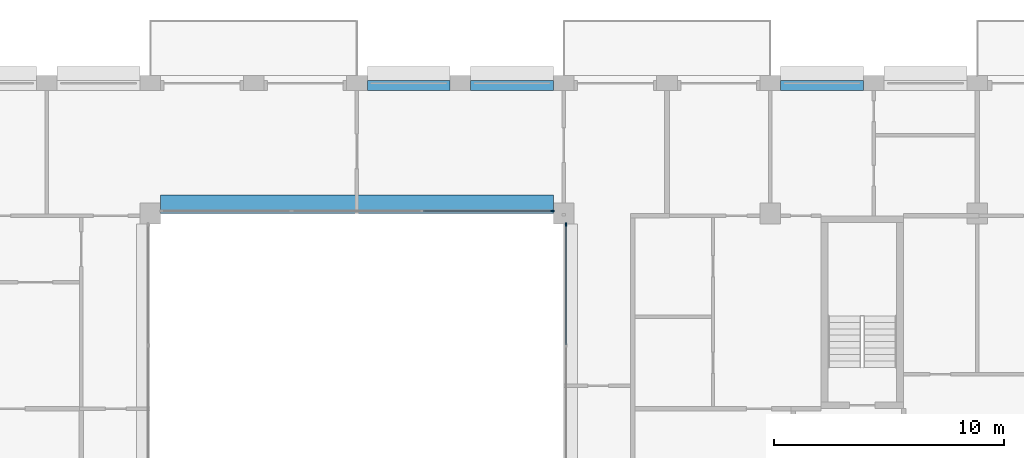
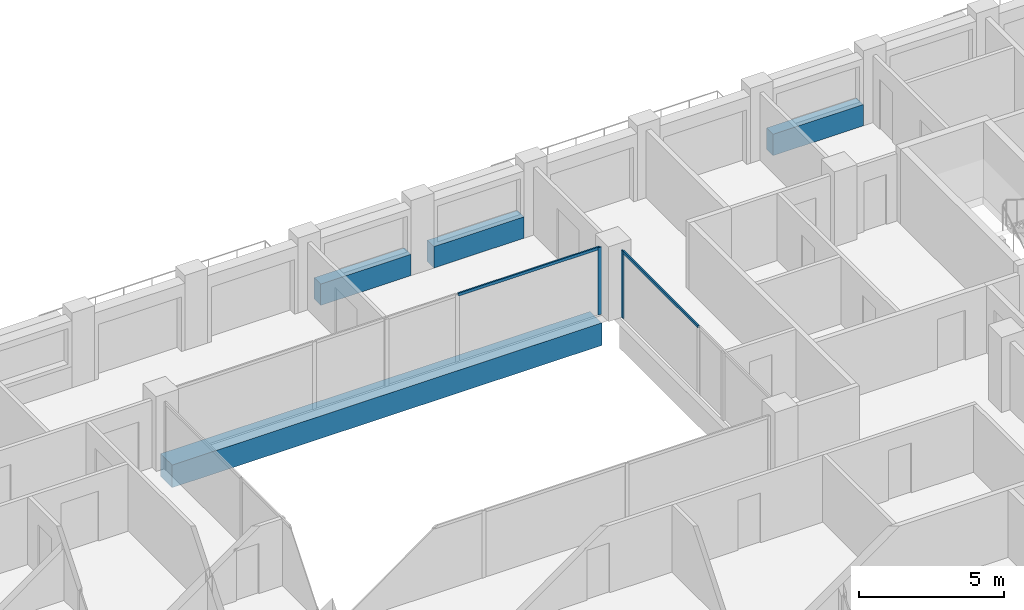
# One storey, part 6 of 16: 4 beams, 4 members, 2 elements without a shape of their own.
"""IFC4 building model written with IfcOpenShell, lengths in metres."""

from ifc_helpers import new_model, si_unit, direction, frame, origin, origin_2d, place, context, subcontext, project, spatial, rectangle, extrude, material, layer, layer_set, material_profile, profile_set, type_object, element, aggregate, save


model = new_model("IFC4")

# Units and contexts
model_context = context("Model", 3, precision=1e-05, world=origin(), true_north=direction((0.0, 1.0)))
body_context = subcontext(model_context, "Body", "Model", "MODEL_VIEW")
ifc_project = project(units=[si_unit("LENGTHUNIT", "METRE"), si_unit("AREAUNIT", "SQUARE_METRE"), si_unit("VOLUMEUNIT", "CUBIC_METRE"), si_unit("PLANEANGLEUNIT", "RADIAN"), si_unit("MASSUNIT", "GRAM", prefix="KILO")], contexts=[model_context])

# Site, building, storey
site_placement = place(None, origin())
site = spatial("IfcSite", under=ifc_project, at=site_placement, CompositionType="ELEMENT")
building_placement = place(site_placement, origin())
building = spatial("IfcBuilding", under=site, at=building_placement, Name="Brigalow Station Residences", CompositionType="ELEMENT")
storey_placement = place(building_placement, frame((0.0, 0.0, 204.300048828125)))
storey = spatial("IfcBuildingStorey", under=building, at=storey_placement, Name="L58", CompositionType="ELEMENT", Elevation=204.300048828125)

# Beam
ifc_material_1 = material(Name="Concrete C65", Category="concrete")
ifc_material_profile_1 = material_profile(ifc_material_1, rectangle(XDim=0.800048828125, YDim=0.949951171875, at=origin_2d()), Name="RC800x950")
ifc_profile_set_1 = profile_set([ifc_material_profile_1], Name="Concrete C65")
beam_type_1 = type_object("IfcBeamType", Name="ATRIUM EDGE GIRDER OVER 13.5 M SPAN 800x950 C65", PredefinedType="BEAM", material=ifc_profile_set_1)
beam_placement = place(storey_placement, frame((27.449951171875, 35.89990234375, -0.795166015625), z_axis=(1.0, 0.0, 0.0), x_axis=(0.0, 1.0, 0.0)))
element("IfcBeam", 1, at=beam_placement, inside=storey, type_object=beam_type_1, Name="ATRIUM EDGE GIRDER D L58", PredefinedType="BEAM", context=body_context, shape_type="SweptSolid", body=[
    extrude(rectangle(XDim=0.800048828125, YDim=0.949951171875, at=origin_2d()), origin(), (0.0, 0.0, 1.0), 17.10009765625),
])

# Curtain wall, member
ifc_material_2 = material(Name="Aluminium", Category="aluminium")
ifc_layer = layer(ifc_material_2, 0.14990234375)
ifc_layer_set = layer_set([ifc_layer], Name="ATRIUM FIRE-RATED GLAZING CURTAIN WALL")
curtain_wall_type = type_object("IfcCurtainWallType", Name="ATRIUM FIRE-RATED GLAZING CURTAIN WALL", PredefinedType="NOTDEFINED", material=ifc_layer_set)
curtain_wall_1_placement = place(storey_placement, origin())
curtain_wall_1 = element("IfcCurtainWall", 2, at=curtain_wall_1_placement, inside=storey, type_object=curtain_wall_type, Name="L58/cw/atrium-E", PredefinedType="NOTDEFINED")
ifc_material_3 = material(Name="Aluminium", Category="aluminium")
ifc_material_profile_2 = material_profile(ifc_material_3, rectangle(XDim=0.06005859375, YDim=0.14990234375, at=origin_2d()), Name="ATRIUM FIRE-RATED GLAZING MULLION 60x150")
ifc_profile_set_2 = profile_set([ifc_material_profile_2], Name="Aluminium")
member_type_1 = type_object("IfcMemberType", Name="ATRIUM FIRE-RATED GLAZING MULLION 60x150", PredefinedType="MULLION", material=ifc_profile_set_2)
member_1_placement = place(storey_placement, frame((45.10009765625, 35.02001953125, 0.0), z_axis=(0.0, 0.0, 1.0), x_axis=(-1.0, 0.0, 0.0)))
member_1 = element("IfcMember", 3, at=member_1_placement, type_object=member_type_1, Name="L58/cw/atrium-E/M02", PredefinedType="MULLION", context=body_context, shape_type="SweptSolid", body=[
    extrude(rectangle(XDim=0.06005859375, YDim=0.14990234375, at=origin_2d()), origin(), (0.0, 0.0, 1.0), 2.829833984375),
])

curtain_wall_2_placement = place(storey_placement, origin())
curtain_wall_2 = element("IfcCurtainWall", 4, at=curtain_wall_2_placement, inside=storey, type_object=curtain_wall_type, Name="L58/cw/atrium-N", PredefinedType="NOTDEFINED")
member_2_placement = place(storey_placement, frame((44.52001953125, 35.60009765625, 0.0), z_axis=(0.0, 0.0, 1.0), x_axis=(0.0, -1.0, 0.0)))
member_2 = element("IfcMember", 5, at=member_2_placement, type_object=member_type_1, Name="L58/cw/atrium-N/M00", PredefinedType="MULLION", context=body_context, shape_type="SweptSolid", body=[
    extrude(rectangle(XDim=0.06005859375, YDim=0.14990234375, at=origin_2d()), origin(), (0.0, 0.0, 1.0), 2.829833984375),
])

# Member
ifc_material_4 = material(Name="Aluminium", Category="aluminium")
ifc_material_profile_3 = material_profile(ifc_material_4, rectangle(XDim=0.06005859375, YDim=0.1201171875, at=origin_2d()), Name="ATRIUM FIRE-RATED GLAZING TRANSOM 60x120")
ifc_profile_set_3 = profile_set([ifc_material_profile_3], Name="Aluminium")
member_type_2 = type_object("IfcMemberType", Name="ATRIUM FIRE-RATED GLAZING TRANSOM 60x120", PredefinedType="USERDEFINED", material=ifc_profile_set_3)
member_3_placement = place(storey_placement, frame((45.10009765625, 29.780029296875, 2.800048828125), z_axis=(0.0, 1.0, 0.0), x_axis=(-1.0, 0.0, 0.0)))
member_3 = element("IfcMember", 6, at=member_3_placement, type_object=member_type_2, Name="L58/cw/atrium-E/T01-00", ObjectType="TRANSOM", PredefinedType="USERDEFINED", context=body_context, shape_type="SweptSolid", body=[
    extrude(rectangle(XDim=0.06005859375, YDim=0.1201171875, at=origin_2d()), origin(), (0.0, 0.0, 1.0), 5.2099609375),
])

aggregate(curtain_wall_1, [member_1, member_3])

member_4_placement = place(storey_placement, frame((44.489990234375, 35.60009765625, 2.800048828125), z_axis=(-1.0, 0.0, 0.0), x_axis=(0.0, -1.0, 0.0)))
member_4 = element("IfcMember", 7, at=member_4_placement, type_object=member_type_2, Name="L58/cw/atrium-N/T00-00", ObjectType="TRANSOM", PredefinedType="USERDEFINED", context=body_context, shape_type="SweptSolid", body=[
    extrude(rectangle(XDim=0.06005859375, YDim=0.1201171875, at=origin_2d()), origin(), (0.0, 0.0, 1.0), 5.610107421875),
])

aggregate(curtain_wall_2, [member_2, member_4])

# Beams
ifc_material_5 = material(Name="Concrete C50", Category="concrete")
ifc_material_profile_4 = material_profile(ifc_material_5, rectangle(XDim=0.449951171875, YDim=0.89990234375, at=origin_2d()), Name="RC450x900")
ifc_profile_set_4 = profile_set([ifc_material_profile_4], Name="Concrete C50")
beam_type_2 = type_object("IfcBeamType", Name="SPANDREL BEAM 450x900 C50", PredefinedType="SPANDREL", material=ifc_profile_set_4)
for number, where, z_axis, x_axis, name in (
    (8, (58.050048828125, 41.074951171875, 0.449951171875), (-1.0, 0.0, 0.0), (0.0, -1.0, 0.0), "L58/spandrel/W-L58-22"),
    (9, (44.550048828125, 41.074951171875, 0.449951171875), (-1.0, 0.0, 0.0), (0.0, -1.0, 0.0), "L58/spandrel/W-L58-25"),
    (10, (40.050048828125, 41.074951171875, 0.449951171875), (-1.0, 0.0, 0.0), (0.0, -1.0, 0.0), "L58/spandrel/W-L58-26"),
):
    element("IfcBeam", number, at=place(storey_placement, frame(where, z_axis=z_axis, x_axis=x_axis)), inside=storey, type_object=beam_type_2, Name=name, PredefinedType="SPANDREL", context=body_context, shape_type="SweptSolid", body=[
        extrude(rectangle(XDim=0.449951171875, YDim=0.89990234375, at=origin_2d()), origin(), (0.0, 0.0, 1.0), 3.60009765625),
    ])

save(model, "model.ifc")
